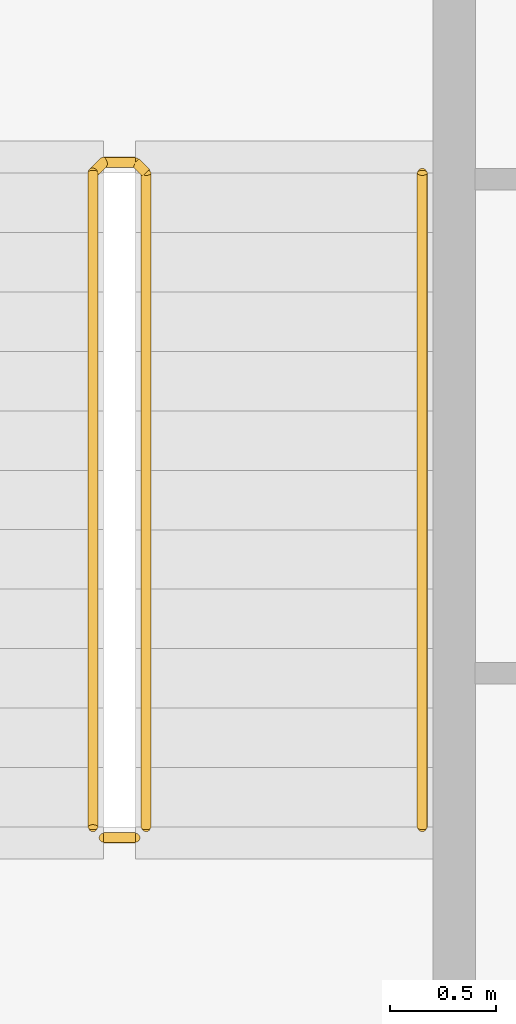
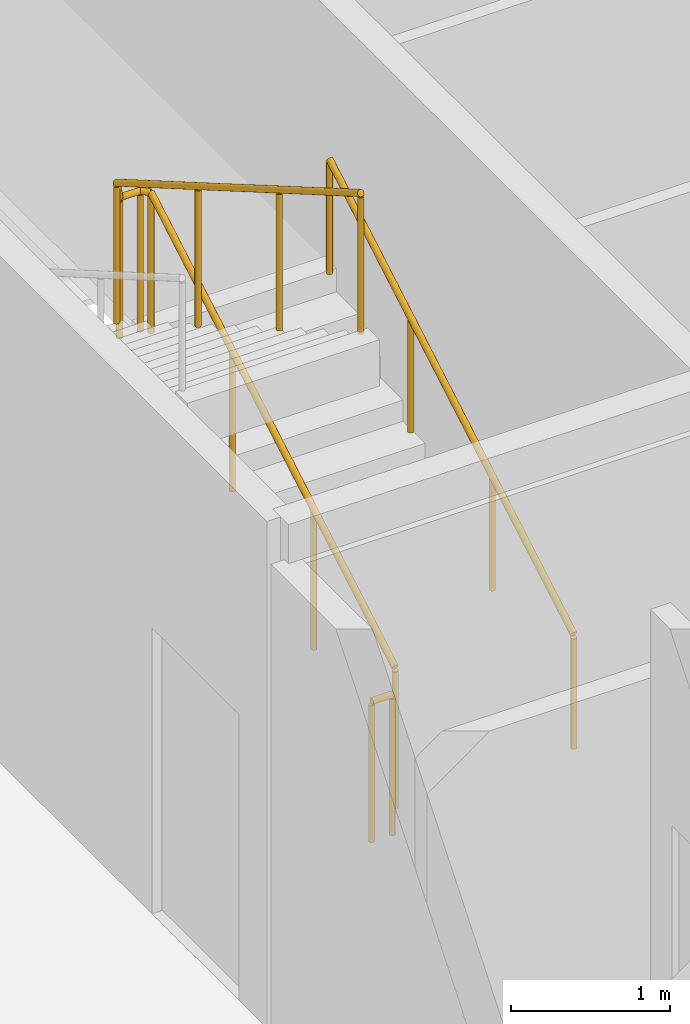
# One storey, part 27 of 28: 3 railings.
"""IFC4 building model written with IfcOpenShell, lengths in metres."""

from ifc_helpers import new_model, si_unit, direction, frame, origin, origin_2d, place, context, subcontext, project, spatial, circle, extrude, material, type_object, element, save


model = new_model("IFC4")

# Units and contexts
model_context = context("Model", 3, precision=1e-05, world=origin(), true_north=direction((0.0, 1.0)))
body_context = subcontext(model_context, "Body", "Model", "MODEL_VIEW")
ifc_project = project(units=[si_unit("LENGTHUNIT", "METRE"), si_unit("AREAUNIT", "SQUARE_METRE"), si_unit("VOLUMEUNIT", "CUBIC_METRE"), si_unit("PLANEANGLEUNIT", "RADIAN"), si_unit("MASSUNIT", "GRAM", prefix="KILO")], contexts=[model_context])

# Site, building, storey
site_placement = place(None, origin())
site = spatial("IfcSite", under=ifc_project, at=site_placement, CompositionType="ELEMENT")
building_placement = place(site_placement, origin())
building = spatial("IfcBuilding", under=site, at=building_placement, Name="Kheshtan School and Residences Tower", CompositionType="ELEMENT")
storey_placement = place(building_placement, frame((0.0, 0.0, 133.10009765625)))
storey = spatial("IfcBuildingStorey", under=building, at=storey_placement, Name="L31", CompositionType="ELEMENT", Elevation=133.10009765625)

# Railings
ifc_material_1 = material(Name="Stainless steel balustrade", Category="steel")
railing_type_1 = type_object("IfcRailingType", Name="Stair guard 1100", PredefinedType="GUARDRAIL", material=ifc_material_1)
railing_1_placement = place(storey_placement, frame((35.0, 80.89990234375, 0.162353515625)))
element("IfcRailing", 1, at=railing_1_placement, inside=storey, type_object=railing_type_1, Name="L31 ST3 stair guard 1", PredefinedType="GUARDRAIL", context=body_context, shape_type="SweptSolid", body=[
    extrude(circle(Radius=0.02392578125, at=origin_2d()), frame((0.0, 0.0, 1.076171875), z_axis=(0.0, 0.864890721111, 0.501960198159), x_axis=(-1.0, 0.0, 0.0)), (0.0, 0.0, 1.0), 3.561279296875),
    extrude(circle(Radius=0.02392578125, at=origin_2d()), frame((0.0, 3.080078125, 2.86376953125), z_axis=(-0.707106781187, 0.707106781187, 0.0), x_axis=(-0.707106781187, -0.707106781187, 0.0)), (0.0, 0.0, 1.0), 0.07080078125),
    extrude(circle(Radius=0.02392578125, at=origin_2d()), frame((-0.050048828125, 3.130126953125, 2.86376953125), z_axis=(-1.0, 0.0, 0.0), x_axis=(0.0, -1.0, 0.0)), (0.0, 0.0, 1.0), 0.14990234375),
    extrude(circle(Radius=0.02392578125, at=origin_2d()), frame((-0.199951171875, 3.130126953125, 2.86376953125), z_axis=(-0.282583949758, -0.282583949758, 0.916674763849), x_axis=(0.707106781187, -0.707106781187, 0.0)), (0.0, 0.0, 1.0), 0.177001953125),
    extrude(circle(Radius=0.02392578125, at=origin_2d()), frame((-0.25, 3.080078125, 3.02587890625), z_axis=(0.0, -0.864890721111, 0.501960198159), x_axis=(1.0, 0.0, 0.0)), (0.0, 0.0, 1.0), 3.561279296875),
    extrude(circle(Radius=0.02099609375, at=origin_2d()), origin(), (0.0, 0.0, 1.0), 1.052001953125),
    extrude(circle(Radius=0.02099609375, at=origin_2d()), frame((0.0, 1.026611328125, 0.595947265625)), (0.0, 0.0, 1.0), 1.052001953125),
    extrude(circle(Radius=0.02099609375, at=origin_2d()), frame((0.0, 2.053466796875, 1.191650390625)), (0.0, 0.0, 1.0), 1.052001953125),
    extrude(circle(Radius=0.02099609375, at=origin_2d()), frame((0.0, 3.080078125, 1.78759765625)), (0.0, 0.0, 1.0), 1.052001953125),
    extrude(circle(Radius=0.02099609375, at=origin_2d()), frame((-0.050048828125, 3.130126953125, 1.78759765625)), (0.0, 0.0, 1.0), 1.052001953125),
    extrude(circle(Radius=0.02099609375, at=origin_2d()), frame((-0.199951171875, 3.130126953125, 1.78759765625)), (0.0, 0.0, 1.0), 1.052001953125),
    extrude(circle(Radius=0.02099609375, at=origin_2d()), frame((-0.25, 3.080078125, 1.949951171875)), (0.0, 0.0, 1.0), 1.052001953125),
    extrude(circle(Radius=0.02099609375, at=origin_2d()), frame((-0.25, 2.053466796875, 2.5458984375)), (0.0, 0.0, 1.0), 1.052001953125),
    extrude(circle(Radius=0.02099609375, at=origin_2d()), frame((-0.25, 1.026611328125, 3.1416015625)), (0.0, 0.0, 1.0), 1.052001953125),
    extrude(circle(Radius=0.02099609375, at=origin_2d()), frame((-0.25, 0.0, 3.737548828125)), (0.0, 0.0, 1.0), 1.052001953125),
])
railing_2_placement = place(storey_placement, frame((34.949951171875, 80.85009765625, 0.0)))
element("IfcRailing", 2, at=railing_2_placement, inside=storey, type_object=railing_type_1, Name="L31 ST3 stair guard 2", PredefinedType="GUARDRAIL", context=body_context, shape_type="SweptSolid", body=[
    extrude(circle(Radius=0.02392578125, at=origin_2d()), frame((0.0, 0.0, 1.076171875), z_axis=(-1.0, 0.0, 0.0), x_axis=(0.0, -1.0, 0.0)), (0.0, 0.0, 1.0), 0.14990234375),
    extrude(circle(Radius=0.02099609375, at=origin_2d()), origin(), (0.0, 0.0, 1.0), 1.052001953125),
    extrude(circle(Radius=0.02099609375, at=origin_2d()), frame((-0.14990234375, 0.0, 0.0)), (0.0, 0.0, 1.0), 1.052001953125),
])
ifc_material_2 = material(Name="Stainless steel handrail", Category="steel")
railing_type_2 = type_object("IfcRailingType", Name="Stair handrail 900", PredefinedType="HANDRAIL", material=ifc_material_2)
railing_3_placement = place(storey_placement, frame((36.300048828125, 80.89990234375, 0.162353515625)))
element("IfcRailing", 3, at=railing_3_placement, inside=storey, type_object=railing_type_2, Name="L31 ST3 stair handrail 1", PredefinedType="HANDRAIL", context=body_context, shape_type="SweptSolid", body=[
    extrude(circle(Radius=0.02392578125, at=origin_2d()), frame((0.0, 0.0, 0.8759765625), z_axis=(0.0, 0.864890721111, 0.501960198159), x_axis=(-1.0, 0.0, 0.0)), (0.0, 0.0, 1.0), 3.561279296875),
    extrude(circle(Radius=0.02099609375, at=origin_2d()), origin(), (0.0, 0.0, 1.0), 0.851806640625),
    extrude(circle(Radius=0.02099609375, at=origin_2d()), frame((0.0, 1.026611328125, 0.595947265625)), (0.0, 0.0, 1.0), 0.851806640625),
    extrude(circle(Radius=0.02099609375, at=origin_2d()), frame((0.0, 2.053466796875, 1.191650390625)), (0.0, 0.0, 1.0), 0.851806640625),
    extrude(circle(Radius=0.02099609375, at=origin_2d()), frame((0.0, 3.080078125, 1.78759765625)), (0.0, 0.0, 1.0), 0.851806640625),
])

save(model, "model.ifc")
